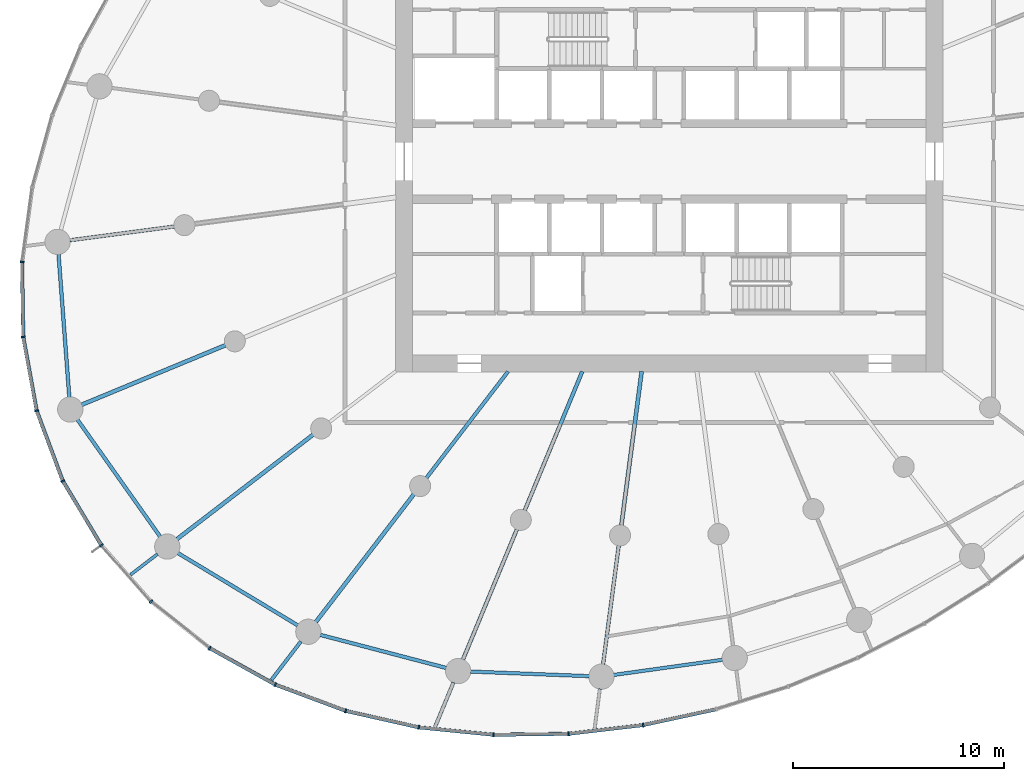
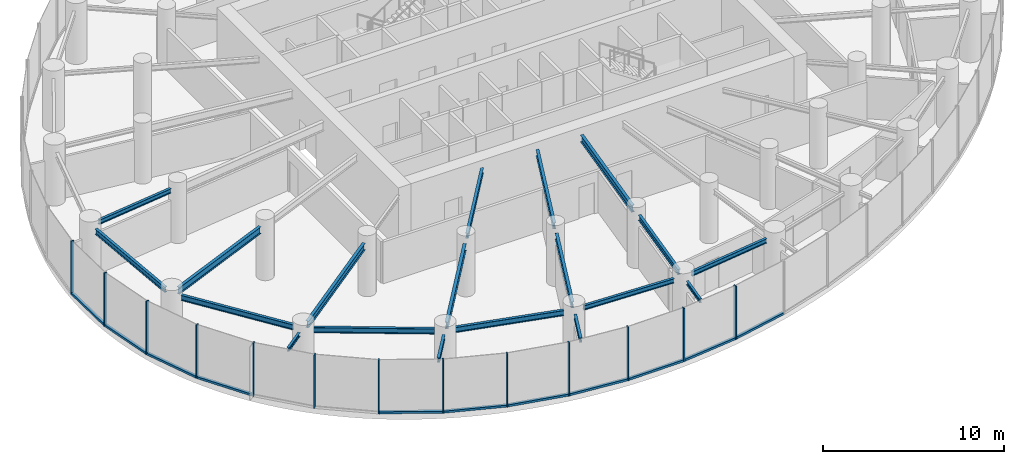
# One storey, part 2 of 17: 24 members, 19 beams, 3 elements without a shape of their own.
"""IFC4 building model written with IfcOpenShell, lengths in metres."""

from ifc_helpers import new_model, si_unit, direction, frame, origin, origin_2d, place, context, subcontext, project, spatial, rectangle, i_section, extrude, source, transform, mapped, material, layer, layer_set, material_profile, profile_set, type_object, element, aggregate, save


model = new_model("IFC4")

# Units and contexts
model_context = context("Model", 3, precision=1e-05, world=origin(), true_north=direction((0.0, 1.0)))
body_context = subcontext(model_context, "Body", "Model", "MODEL_VIEW")
ifc_project = project(units=[si_unit("LENGTHUNIT", "METRE"), si_unit("AREAUNIT", "SQUARE_METRE"), si_unit("VOLUMEUNIT", "CUBIC_METRE"), si_unit("PLANEANGLEUNIT", "RADIAN"), si_unit("MASSUNIT", "GRAM", prefix="KILO")], contexts=[model_context])

# Site, building, storey
site_placement = place(None, origin())
site = spatial("IfcSite", under=ifc_project, at=site_placement, CompositionType="ELEMENT")
building_placement = place(site_placement, origin())
building = spatial("IfcBuilding", under=site, at=building_placement, Name="Spindrift Exchange Tower", CompositionType="ELEMENT")
storey_placement = place(building_placement, frame((0.0, 0.0, 124.89990234375)))
storey = spatial("IfcBuildingStorey", under=building, at=storey_placement, Name="L29", CompositionType="ELEMENT", Elevation=124.89990234375)

# Beams
ifc_material_1 = material(Name="Steel Grade 300", Category="steel")
ifc_material_profile_1 = material_profile(ifc_material_1, i_section(OverallWidth=0.172119140625, OverallDepth=0.35888671875, WebThickness=0.008056640625, FlangeThickness=0.012939453125, FilletRadius=0.013916015625, at=origin_2d()), Name="360UB56.7")
ifc_profile_set_1 = profile_set([ifc_material_profile_1], Name="Steel Grade 300")
beam_type_1 = type_object("IfcBeamType", Name="Floor Beam 360UB56.7 Steel Grade 300", PredefinedType="BEAM", material=ifc_profile_set_1)
shared_shape_1 = source(origin(), body_context, "Body", "SweptSolid", [
    extrude(i_section(OverallWidth=0.172119140625, OverallDepth=0.35888671875, WebThickness=0.008056640625, FlangeThickness=0.012939453125, FilletRadius=0.013916015625, at=origin_2d()), origin(), (0.0, 0.0, 1.0), 6.37646484375),
])
beam_1_placement = place(storey_placement, frame((44.3388671875, 38.015869140625, 3.420654296875), z_axis=(-0.608766669952, -0.793349318747, 0.0), x_axis=(0.793349318747, -0.608766669952, 0.0)))
element("IfcBeam", 1, at=beam_1_placement, inside=storey, type_object=beam_type_1, Name="L29 radial beam R16A", PredefinedType="BEAM", context=body_context, shape_type="MappedRepresentation", body=[
    mapped(shared_shape_1, transform((0.0, 0.0, 0.0), scale=1.0)),
])
ifc_material_profile_2 = material_profile(ifc_material_1, i_section(OverallWidth=0.177978515625, OverallDepth=0.406005859375, WebThickness=0.0078125, FlangeThickness=0.0126953125, FilletRadius=0.013916015625, at=origin_2d()), Name="410UB59.7")
ifc_profile_set_2 = profile_set([ifc_material_profile_2], Name="Steel Grade 300")
beam_type_2 = type_object("IfcBeamType", Name="Floor Beam 410UB59.7 Steel Grade 300", PredefinedType="BEAM", material=ifc_profile_set_2)
shared_shape_2 = source(origin(), body_context, "Body", "SweptSolid", [
    extrude(i_section(OverallWidth=0.177978515625, OverallDepth=0.406005859375, WebThickness=0.0078125, FlangeThickness=0.0126953125, FilletRadius=0.013916015625, at=origin_2d()), origin(), (0.0, 0.0, 1.0), 7.150634765625),
])
beam_2_placement = place(storey_placement, frame((47.865478515625, 38.0185546875, 3.397216796875), z_axis=(-0.382665393358, -0.923887004306, 0.0), x_axis=(0.923887004306, -0.382665393358, 0.0)))
element("IfcBeam", 2, at=beam_2_placement, inside=storey, type_object=beam_type_2, Name="L29 radial beam R17A", PredefinedType="BEAM", context=body_context, shape_type="MappedRepresentation", body=[
    mapped(shared_shape_2, transform((0.0, 0.0, 0.0), scale=1.0)),
])
ifc_material_profile_3 = material_profile(ifc_material_1, i_section(OverallWidth=0.18994140625, OverallDepth=0.45703125, WebThickness=0.009033203125, FlangeThickness=0.014404296875, FilletRadius=0.013916015625, at=origin_2d()), Name="460UB74.6")
ifc_profile_set_3 = profile_set([ifc_material_profile_3], Name="Steel Grade 300")
beam_type_3 = type_object("IfcBeamType", Name="Floor Beam 460UB74.6 Steel Grade 300", PredefinedType="BEAM", material=ifc_profile_set_3)
shared_shape_3 = source(origin(), body_context, "Body", "SweptSolid", [
    extrude(i_section(OverallWidth=0.18994140625, OverallDepth=0.45703125, WebThickness=0.009033203125, FlangeThickness=0.014404296875, FilletRadius=0.013916015625, at=origin_2d()), origin(), (0.0, 0.0, 1.0), 7.374267578125),
])
beam_3_placement = place(storey_placement, frame((50.68603515625, 38.019775390625, 3.37158203125), z_axis=(-0.130539295622, -0.99144313619, 0.0), x_axis=(0.99144313619, -0.130539295622, 0.0)))
element("IfcBeam", 3, at=beam_3_placement, inside=storey, type_object=beam_type_3, Name="L29 radial beam R18A", PredefinedType="BEAM", context=body_context, shape_type="MappedRepresentation", body=[
    mapped(shared_shape_3, transform((0.0, 0.0, 0.0), scale=1.0)),
])
ifc_material_profile_4 = material_profile(ifc_material_1, i_section(OverallWidth=0.1650390625, OverallDepth=0.303955078125, WebThickness=0.006103515625, FlangeThickness=0.01025390625, FilletRadius=0.011474609375, at=origin_2d()), Name="310UB40.4")
ifc_profile_set_4 = profile_set([ifc_material_profile_4], Name="Steel Grade 300")
beam_type_4 = type_object("IfcBeamType", Name="Floor Beam 310UB40.4 Steel Grade 300", PredefinedType="BEAM", material=ifc_profile_set_4)
shared_shape_4 = source(origin(), body_context, "Body", "SweptSolid", [
    extrude(i_section(OverallWidth=0.1650390625, OverallDepth=0.303955078125, WebThickness=0.006103515625, FlangeThickness=0.01025390625, FilletRadius=0.011474609375, at=origin_2d()), origin(), (0.0, 0.0, 1.0), 5.014404296875),
])
beam_4_placement = place(storey_placement, frame((28.490234375, 44.90478515625, 3.447998046875), z_axis=(-0.99145015202, -0.13048599948, 0.0), x_axis=(0.13048599948, -0.99145015202, 0.0)))
element("IfcBeam", 4, at=beam_4_placement, inside=storey, type_object=beam_type_4, Name="L29 radial beam R13B", PredefinedType="BEAM", context=body_context, shape_type="MappedRepresentation", body=[
    mapped(shared_shape_4, transform((0.0, 0.0, 0.0), scale=1.0)),
])
shared_shape_5 = source(origin(), body_context, "Body", "SweptSolid", [
    extrude(i_section(OverallWidth=0.18994140625, OverallDepth=0.45703125, WebThickness=0.009033203125, FlangeThickness=0.014404296875, FilletRadius=0.013916015625, at=origin_2d()), origin(), (0.0, 0.0, 1.0), 7.400146484375),
])
beam_5_placement = place(storey_placement, frame((30.917236328125, 39.26708984375, 3.37158203125), z_axis=(-0.923886957755, -0.382665505749, 0.0), x_axis=(0.382665505749, -0.923886957755, 0.0)))
element("IfcBeam", 5, at=beam_5_placement, inside=storey, type_object=beam_type_3, Name="L29 radial beam R14B", PredefinedType="BEAM", context=body_context, shape_type="MappedRepresentation", body=[
    mapped(shared_shape_5, transform((0.0, 0.0, 0.0), scale=1.0)),
])
shared_shape_6 = source(origin(), body_context, "Body", "SweptSolid", [
    extrude(i_section(OverallWidth=0.18994140625, OverallDepth=0.45703125, WebThickness=0.009033203125, FlangeThickness=0.014404296875, FilletRadius=0.013916015625, at=origin_2d()), origin(), (0.0, 0.0, 1.0), 8.158447265625),
])
beam_6_placement = place(storey_placement, frame((35.08447265625, 35.020263671875, 3.37158203125), z_axis=(-0.793358732539, -0.608754401631, 0.0), x_axis=(0.608754401631, -0.793358732539, 0.0)))
element("IfcBeam", 6, at=beam_6_placement, inside=storey, type_object=beam_type_3, Name="L29 radial beam R15B", PredefinedType="BEAM", context=body_context, shape_type="MappedRepresentation", body=[
    mapped(shared_shape_6, transform((0.0, 0.0, 0.0), scale=1.0)),
])
shared_shape_7 = source(origin(), body_context, "Body", "SweptSolid", [
    extrude(i_section(OverallWidth=0.18994140625, OverallDepth=0.45703125, WebThickness=0.009033203125, FlangeThickness=0.014404296875, FilletRadius=0.013916015625, at=origin_2d()), origin(), (0.0, 0.0, 1.0), 7.663818359375),
])
beam_7_placement = place(storey_placement, frame((39.872802734375, 32.1953125, 3.37158203125), z_axis=(-0.608771227503, -0.793345821546, 0.0), x_axis=(0.793345821546, -0.608771227503, 0.0)))
element("IfcBeam", 7, at=beam_7_placement, inside=storey, type_object=beam_type_3, Name="L29 radial beam R16B", PredefinedType="BEAM", context=body_context, shape_type="MappedRepresentation", body=[
    mapped(shared_shape_7, transform((0.0, 0.0, 0.0), scale=1.0)),
])
shared_shape_8 = source(origin(), body_context, "Body", "SweptSolid", [
    extrude(i_section(OverallWidth=0.177978515625, OverallDepth=0.406005859375, WebThickness=0.0078125, FlangeThickness=0.0126953125, FilletRadius=0.013916015625, at=origin_2d()), origin(), (0.0, 0.0, 1.0), 6.71240234375),
])
beam_8_placement = place(storey_placement, frame((44.76171875, 30.525146484375, 3.397216796875), z_axis=(-0.382669812754, -0.923885173821, 0.0), x_axis=(0.923885173821, -0.382669812754, 0.0)))
element("IfcBeam", 8, at=beam_8_placement, inside=storey, type_object=beam_type_2, Name="L29 radial beam R17B", PredefinedType="BEAM", context=body_context, shape_type="MappedRepresentation", body=[
    mapped(shared_shape_8, transform((0.0, 0.0, 0.0), scale=1.0)),
])
shared_shape_9 = source(origin(), body_context, "Body", "SweptSolid", [
    extrude(i_section(OverallWidth=0.172119140625, OverallDepth=0.35888671875, WebThickness=0.008056640625, FlangeThickness=0.012939453125, FilletRadius=0.013916015625, at=origin_2d()), origin(), (0.0, 0.0, 1.0), 5.70751953125),
])
beam_9_placement = place(storey_placement, frame((49.59814453125, 29.7568359375, 3.420654296875), z_axis=(-0.130507624881, -0.991447305634, 0.0), x_axis=(0.991447305634, -0.130507624881, 0.0)))
element("IfcBeam", 9, at=beam_9_placement, inside=storey, type_object=beam_type_1, Name="L29 radial beam R18B", PredefinedType="BEAM", context=body_context, shape_type="MappedRepresentation", body=[
    mapped(shared_shape_9, transform((0.0, 0.0, 0.0), scale=1.0)),
])
ifc_material_profile_5 = material_profile(ifc_material_1, i_section(OverallWidth=0.172119140625, OverallDepth=0.35888671875, WebThickness=0.008056640625, FlangeThickness=0.012939453125, FilletRadius=0.013916015625, at=origin_2d()), Name="360UB56.7")
ifc_profile_set_5 = profile_set([ifc_material_profile_5], Name="Steel Grade 300")
beam_type_5 = type_object("IfcBeamType", Name="Edge Beam 360UB56.7 Steel Grade 300", PredefinedType="SPANDREL", material=ifc_profile_set_5)
shared_shape_10 = source(origin(), body_context, "Body", "SweptSolid", [
    extrude(i_section(OverallWidth=0.172119140625, OverallDepth=0.35888671875, WebThickness=0.008056640625, FlangeThickness=0.012939453125, FilletRadius=0.013916015625, at=origin_2d()), origin(), (0.0, 0.0, 1.0), 6.82373046875),
])
beam_10_placement = place(storey_placement, frame((22.9873046875, 43.59619140625, 3.420654296875), z_axis=(0.075276463877, -0.997162701863, 0.0), x_axis=(0.997162701863, 0.075276463877, 0.0)))
element("IfcBeam", 10, at=beam_10_placement, inside=storey, type_object=beam_type_5, Name="L29 edge beam E13", PredefinedType="SPANDREL", context=body_context, shape_type="MappedRepresentation", body=[
    mapped(shared_shape_10, transform((0.0, 0.0, 0.0), scale=1.0)),
])
shared_shape_11 = source(origin(), body_context, "Body", "SweptSolid", [
    extrude(i_section(OverallWidth=0.172119140625, OverallDepth=0.35888671875, WebThickness=0.008056640625, FlangeThickness=0.012939453125, FilletRadius=0.013916015625, at=origin_2d()), origin(), (0.0, 0.0, 1.0), 6.81787109375),
])
beam_11_placement = place(storey_placement, frame((23.87939453125, 35.739990234375, 3.420654296875), z_axis=(0.577526426198, -0.816371990604, 0.0), x_axis=(0.816371990604, 0.577526426198, 0.0)))
element("IfcBeam", 11, at=beam_11_placement, inside=storey, type_object=beam_type_5, Name="L29 edge beam E14", PredefinedType="SPANDREL", context=body_context, shape_type="MappedRepresentation", body=[
    mapped(shared_shape_11, transform((0.0, 0.0, 0.0), scale=1.0)),
])
shared_shape_12 = source(origin(), body_context, "Body", "SweptSolid", [
    extrude(i_section(OverallWidth=0.172119140625, OverallDepth=0.35888671875, WebThickness=0.008056640625, FlangeThickness=0.012939453125, FilletRadius=0.013916015625, at=origin_2d()), origin(), (0.0, 0.0, 1.0), 6.668701171875),
])
beam_12_placement = place(storey_placement, frame((28.6484375, 29.40087890625, 3.420654296875), z_axis=(0.856133207479, -0.516755194508, 0.0), x_axis=(0.516755194508, 0.856133207479, 0.0)))
element("IfcBeam", 12, at=beam_12_placement, inside=storey, type_object=beam_type_5, Name="L29 edge beam E15", PredefinedType="SPANDREL", context=body_context, shape_type="MappedRepresentation", body=[
    mapped(shared_shape_12, transform((0.0, 0.0, 0.0), scale=1.0)),
])
shared_shape_13 = source(origin(), body_context, "Body", "SweptSolid", [
    extrude(i_section(OverallWidth=0.172119140625, OverallDepth=0.35888671875, WebThickness=0.008056640625, FlangeThickness=0.012939453125, FilletRadius=0.013916015625, at=origin_2d()), origin(), (0.0, 0.0, 1.0), 6.197509765625),
])
beam_13_placement = place(storey_placement, frame((35.415283203125, 25.508056640625, 3.420654296875), z_axis=(0.967254420813, -0.253808757567, 0.0), x_axis=(0.253808757567, 0.967254420813, 0.0)))
element("IfcBeam", 13, at=beam_13_placement, inside=storey, type_object=beam_type_5, Name="L29 edge beam E16", PredefinedType="SPANDREL", context=body_context, shape_type="MappedRepresentation", body=[
    mapped(shared_shape_13, transform((0.0, 0.0, 0.0), scale=1.0)),
])
ifc_material_profile_6 = material_profile(ifc_material_1, i_section(OverallWidth=0.1650390625, OverallDepth=0.303955078125, WebThickness=0.006103515625, FlangeThickness=0.01025390625, FilletRadius=0.011474609375, at=origin_2d()), Name="310UB40.4")
ifc_profile_set_6 = profile_set([ifc_material_profile_6], Name="Steel Grade 300")
beam_type_6 = type_object("IfcBeamType", Name="Edge Beam 310UB40.4 Steel Grade 300", PredefinedType="SPANDREL", material=ifc_profile_set_6)
shared_shape_14 = source(origin(), body_context, "Body", "SweptSolid", [
    extrude(i_section(OverallWidth=0.1650390625, OverallDepth=0.303955078125, WebThickness=0.006103515625, FlangeThickness=0.01025390625, FilletRadius=0.011474609375, at=origin_2d()), origin(), (0.0, 0.0, 1.0), 5.65185546875),
])
beam_14_placement = place(storey_placement, frame((42.550537109375, 23.765380859375, 3.447998046875), z_axis=(0.99924397539, -0.038877726865, 0.0), x_axis=(0.038877726865, 0.99924397539, 0.0)))
element("IfcBeam", 14, at=beam_14_placement, inside=storey, type_object=beam_type_6, Name="L29 edge beam E17", PredefinedType="SPANDREL", context=body_context, shape_type="MappedRepresentation", body=[
    mapped(shared_shape_14, transform((0.0, 0.0, 0.0), scale=1.0)),
])
shared_shape_15 = source(origin(), body_context, "Body", "SweptSolid", [
    extrude(i_section(OverallWidth=0.1650390625, OverallDepth=0.303955078125, WebThickness=0.006103515625, FlangeThickness=0.01025390625, FilletRadius=0.011474609375, at=origin_2d()), origin(), (0.0, 0.0, 1.0), 5.22998046875),
])
beam_15_placement = place(storey_placement, frame((49.35205078125, 23.603271484375, 3.447998046875), z_axis=(0.990440078597, 0.137943650481, 0.0), x_axis=(-0.137943650481, 0.990440078597, 0.0)))
element("IfcBeam", 15, at=beam_15_placement, inside=storey, type_object=beam_type_6, Name="L29 edge beam E18", PredefinedType="SPANDREL", context=body_context, shape_type="MappedRepresentation", body=[
    mapped(shared_shape_15, transform((0.0, 0.0, 0.0), scale=1.0)),
])
ifc_material_profile_7 = material_profile(ifc_material_1, i_section(OverallWidth=0.14599609375, OverallDepth=0.251953125, WebThickness=0.006103515625, FlangeThickness=0.008544921875, FilletRadius=0.011962890625, at=origin_2d()), Name="250UB31.4")
ifc_profile_set_7 = profile_set([ifc_material_profile_7], Name="Steel Grade 300")
beam_type_7 = type_object("IfcBeamType", Name="Cantilever Beam 250UB31.4 Steel Grade 300", PredefinedType="BEAM", material=ifc_profile_set_7)
shared_shape_16 = source(origin(), body_context, "Body", "SweptSolid", [
    extrude(i_section(OverallWidth=0.14599609375, OverallDepth=0.251953125, WebThickness=0.006103515625, FlangeThickness=0.008544921875, FilletRadius=0.011962890625, at=origin_2d()), origin(), (0.0, 0.0, 1.0), 1.6142578125),
])
beam_16_placement = place(storey_placement, frame((27.691650390625, 29.347412109375, 3.47412109375), z_axis=(-0.793455404802, -0.608628392856, 0.0), x_axis=(0.608628392856, -0.793455404802, 0.0)))
element("IfcBeam", 16, at=beam_16_placement, inside=storey, type_object=beam_type_7, Name="L29 cantilever beam R15T", PredefinedType="BEAM", context=body_context, shape_type="MappedRepresentation", body=[
    mapped(shared_shape_16, transform((0.0, 0.0, 0.0), scale=1.0)),
])
ifc_material_profile_8 = material_profile(ifc_material_1, i_section(OverallWidth=0.1650390625, OverallDepth=0.303955078125, WebThickness=0.006103515625, FlangeThickness=0.01025390625, FilletRadius=0.011474609375, at=origin_2d()), Name="310UB40.4")
ifc_profile_set_8 = profile_set([ifc_material_profile_8], Name="Steel Grade 300")
beam_type_8 = type_object("IfcBeamType", Name="Cantilever Beam 310UB40.4 Steel Grade 300", PredefinedType="BEAM", material=ifc_profile_set_8)
shared_shape_17 = source(origin(), body_context, "Body", "SweptSolid", [
    extrude(i_section(OverallWidth=0.1650390625, OverallDepth=0.303955078125, WebThickness=0.006103515625, FlangeThickness=0.01025390625, FilletRadius=0.011474609375, at=origin_2d()), origin(), (0.0, 0.0, 1.0), 2.2978515625),
])
beam_17_placement = place(storey_placement, frame((34.501220703125, 25.195068359375, 3.447998046875), z_axis=(-0.608786129894, -0.793334386024, 0.0), x_axis=(0.793334386024, -0.608786129894, 0.0)))
element("IfcBeam", 17, at=beam_17_placement, inside=storey, type_object=beam_type_8, Name="L29 cantilever beam R16T", PredefinedType="BEAM", context=body_context, shape_type="MappedRepresentation", body=[
    mapped(shared_shape_17, transform((0.0, 0.0, 0.0), scale=1.0)),
])
shared_shape_18 = source(origin(), body_context, "Body", "SweptSolid", [
    extrude(i_section(OverallWidth=0.1650390625, OverallDepth=0.303955078125, WebThickness=0.006103515625, FlangeThickness=0.01025390625, FilletRadius=0.011474609375, at=origin_2d()), origin(), (0.0, 0.0, 1.0), 2.310791015625),
])
beam_18_placement = place(storey_placement, frame((41.7490234375, 23.251953125, 3.447998046875), z_axis=(-0.38265659553, -0.923890648236, 0.0), x_axis=(0.923890648236, -0.38265659553, 0.0)))
element("IfcBeam", 18, at=beam_18_placement, inside=storey, type_object=beam_type_8, Name="L29 cantilever beam R17T", PredefinedType="BEAM", context=body_context, shape_type="MappedRepresentation", body=[
    mapped(shared_shape_18, transform((0.0, 0.0, 0.0), scale=1.0)),
])
shared_shape_19 = source(origin(), body_context, "Body", "SweptSolid", [
    extrude(i_section(OverallWidth=0.14599609375, OverallDepth=0.251953125, WebThickness=0.006103515625, FlangeThickness=0.008544921875, FilletRadius=0.011962890625, at=origin_2d()), origin(), (0.0, 0.0, 1.0), 1.918701171875),
])
beam_19_placement = place(storey_placement, frame((48.701904296875, 22.9482421875, 3.47412109375), z_axis=(-0.130546671118, -0.991442165061, 0.0), x_axis=(0.991442165061, -0.130546671118, 0.0)))
element("IfcBeam", 19, at=beam_19_placement, inside=storey, type_object=beam_type_7, Name="L29 cantilever beam R18T", PredefinedType="BEAM", context=body_context, shape_type="MappedRepresentation", body=[
    mapped(shared_shape_19, transform((0.0, 0.0, 0.0), scale=1.0)),
])

# Curtain wall, member
ifc_material_2 = material(Name="Fritted laminated glass with bronze frame", Category="glass")
ifc_layer = layer(ifc_material_2, 0.18994140625)
ifc_layer_set = layer_set([ifc_layer], Name="ZONE 2 BRONZE FRITTED WALL")
curtain_wall_type = type_object("IfcCurtainWallType", Name="ZONE 2 BRONZE FRITTED WALL", PredefinedType="NOTDEFINED", material=ifc_layer_set)
curtain_wall_1_placement = place(storey_placement, origin())
curtain_wall_1 = element("IfcCurtainWall", 20, at=curtain_wall_1_placement, inside=storey, type_object=curtain_wall_type, Name="L29 Zone 2 Bronze Fritted Wall run 6", PredefinedType="NOTDEFINED")
ifc_material_3 = material(Name="Bronze anodised aluminium", Category="aluminium")
ifc_material_profile_9 = material_profile(ifc_material_3, rectangle(XDim=0.169921875, YDim=0.139892578125, at=origin_2d()), Name="ZONE 2 BRONZE FRITTED WALL TRANSOM 170X140")
ifc_profile_set_9 = profile_set([ifc_material_profile_9], Name="Bronze anodised aluminium")
member_type_1 = type_object("IfcMemberType", Name="ZONE 2 BRONZE FRITTED WALL TRANSOM 170X140", PredefinedType="USERDEFINED", material=ifc_profile_set_9)
shared_shape_20 = source(origin(), body_context, "Body", "SweptSolid", [
    extrude(rectangle(XDim=0.169921875, YDim=0.139892578125, at=origin_2d()), origin(), (0.0, 0.0, 1.0), 3.4912109375),
])
member_1_placement = place(storey_placement, frame((47.254638671875, 20.814697265625, 0.070068359375), z_axis=(0.993239104512, 0.116086524924, 0.0), x_axis=(-0.116086524924, 0.993239104512, 0.0)))
member_1 = element("IfcMember", 21, at=member_1_placement, type_object=member_type_1, Name="L29 transom CW-2.34", ObjectType="TRANSOM", PredefinedType="USERDEFINED", context=body_context, shape_type="MappedRepresentation", body=[
    mapped(shared_shape_20, transform((0.0, 0.0, 0.0), scale=1.0)),
])

curtain_wall_2_placement = place(storey_placement, origin())
curtain_wall_2 = element("IfcCurtainWall", 22, at=curtain_wall_2_placement, inside=storey, type_object=curtain_wall_type, Name="L29 Zone 2 Bronze Fritted Wall run 4", PredefinedType="NOTDEFINED")
shared_shape_21 = source(origin(), body_context, "Body", "SweptSolid", [
    extrude(rectangle(XDim=0.169921875, YDim=0.139892578125, at=origin_2d()), origin(), (0.0, 0.0, 1.0), 3.489013671875),
])
member_2_placement = place(storey_placement, frame((21.255126953125, 43.190185546875, 0.070068359375), z_axis=(0.015744426551, -0.999876048834, 0.0), x_axis=(0.999876048834, 0.015744426551, 0.0)))
member_2 = element("IfcMember", 23, at=member_2_placement, type_object=member_type_1, Name="L29 transom CW-2.23", ObjectType="TRANSOM", PredefinedType="USERDEFINED", context=body_context, shape_type="MappedRepresentation", body=[
    mapped(shared_shape_21, transform((0.0, 0.0, 0.0), scale=1.0)),
])

# Curtain wall, members
curtain_wall_3_placement = place(storey_placement, origin())
curtain_wall_3 = element("IfcCurtainWall", 24, at=curtain_wall_3_placement, inside=storey, type_object=curtain_wall_type, Name="L29 Zone 2 Bronze Fritted Wall run 5", PredefinedType="NOTDEFINED")
member_3_placement = place(storey_placement, frame((30.202392578125, 24.856689453125, 0.070068359375), z_axis=(0.874173778703, -0.485613225342, 0.0), x_axis=(0.485613225342, 0.874173778703, 0.0)))
member_3 = element("IfcMember", 25, at=member_3_placement, type_object=member_type_1, Name="L29 transom CW-2.29", ObjectType="TRANSOM", PredefinedType="USERDEFINED", context=body_context, shape_type="MappedRepresentation", body=[
    mapped(shared_shape_21, transform((0.0, 0.0, 0.0), scale=1.0)),
])
shared_shape_22 = source(origin(), body_context, "Body", "SweptSolid", [
    extrude(rectangle(XDim=0.169921875, YDim=0.139892578125, at=origin_2d()), origin(), (0.0, 0.0, 1.0), 3.487548828125),
])
member_4_placement = place(storey_placement, frame((23.21044921875, 32.786865234375, 0.070068359375), z_axis=(0.513877965324, -0.857863297242, 0.0), x_axis=(0.857863297242, 0.513877965324, 0.0)))
member_4 = element("IfcMember", 26, at=member_4_placement, type_object=member_type_1, Name="L29 transom CW-2.26", ObjectType="TRANSOM", PredefinedType="USERDEFINED", context=body_context, shape_type="MappedRepresentation", body=[
    mapped(shared_shape_22, transform((0.0, 0.0, 0.0), scale=1.0)),
])

# Member
shared_shape_23 = source(origin(), body_context, "Body", "SweptSolid", [
    extrude(rectangle(XDim=0.169921875, YDim=0.139892578125, at=origin_2d()), origin(), (0.0, 0.0, 1.0), 3.49072265625),
])
member_5_placement = place(storey_placement, frame((40.140625, 21.111083984375, 0.070068359375), z_axis=(0.995132295386, -0.098548032345, 0.0), x_axis=(0.098548032345, 0.995132295386, 0.0)))
member_5 = element("IfcMember", 27, at=member_5_placement, type_object=member_type_1, Name="L29 transom CW-2.32", ObjectType="TRANSOM", PredefinedType="USERDEFINED", context=body_context, shape_type="MappedRepresentation", body=[
    mapped(shared_shape_23, transform((0.0, 0.0, 0.0), scale=1.0)),
])

member_6_placement = place(storey_placement, frame((43.689208984375, 20.763916015625, 0.070068359375), z_axis=(0.999913555065, 0.013148475089, 0.0), x_axis=(-0.013148475089, 0.999913555065, 0.0)))
member_6 = element("IfcMember", 28, at=member_6_placement, type_object=member_type_1, Name="L29 transom CW-2.33", ObjectType="TRANSOM", PredefinedType="USERDEFINED", context=body_context, shape_type="MappedRepresentation", body=[
    mapped(shared_shape_23, transform((0.0, 0.0, 0.0), scale=1.0)),
])

shared_shape_24 = source(origin(), body_context, "Body", "SweptSolid", [
    extrude(rectangle(XDim=0.169921875, YDim=0.139892578125, at=origin_2d()), origin(), (0.0, 0.0, 1.0), 3.491455078125),
])
member_7_placement = place(storey_placement, frame((50.796142578125, 21.232421875, 0.070068359375), z_axis=(0.977493342756, 0.210966264761, 0.0), x_axis=(-0.210966264761, 0.977493342756, 0.0)))
member_7 = element("IfcMember", 29, at=member_7_placement, type_object=member_type_1, Name="L29 transom CW-2.35", ObjectType="TRANSOM", PredefinedType="USERDEFINED", context=body_context, shape_type="MappedRepresentation", body=[
    mapped(shared_shape_24, transform((0.0, 0.0, 0.0), scale=1.0)),
])

shared_shape_25 = source(origin(), body_context, "Body", "SweptSolid", [
    extrude(rectangle(XDim=0.169921875, YDim=0.139892578125, at=origin_2d()), origin(), (0.0, 0.0, 1.0), 3.490234375),
])
member_8_placement = place(storey_placement, frame((36.66162109375, 21.8896484375, 0.070068359375), z_axis=(0.975580910816, -0.219640357063, 0.0), x_axis=(0.219640357063, 0.975580910816, 0.0)))
member_8 = element("IfcMember", 30, at=member_8_placement, type_object=member_type_1, Name="L29 transom CW-2.31", ObjectType="TRANSOM", PredefinedType="USERDEFINED", context=body_context, shape_type="MappedRepresentation", body=[
    mapped(shared_shape_25, transform((0.0, 0.0, 0.0), scale=1.0)),
])

shared_shape_26 = source(origin(), body_context, "Body", "SweptSolid", [
    extrude(rectangle(XDim=0.169921875, YDim=0.139892578125, at=origin_2d()), origin(), (0.0, 0.0, 1.0), 3.488525390625),
])
member_9_placement = place(storey_placement, frame((21.3173828125, 39.627197265625, 0.070068359375), z_axis=(0.178953183838, -0.983857590302, 0.0), x_axis=(0.983857590302, 0.178953183838, 0.0)))
member_9 = element("IfcMember", 31, at=member_9_placement, type_object=member_type_1, Name="L29 transom CW-2.24", ObjectType="TRANSOM", PredefinedType="USERDEFINED", context=body_context, shape_type="MappedRepresentation", body=[
    mapped(shared_shape_26, transform((0.0, 0.0, 0.0), scale=1.0)),
])

shared_shape_27 = source(origin(), body_context, "Body", "SweptSolid", [
    extrude(rectangle(XDim=0.169921875, YDim=0.139892578125, at=origin_2d()), origin(), (0.0, 0.0, 1.0), 3.488037109375),
])
member_10_placement = place(storey_placement, frame((21.96142578125, 36.123046875, 0.070068359375), z_axis=(0.348859535227, -0.937175023505, 0.0), x_axis=(0.937175023505, 0.348859535227, 0.0)))
member_10 = element("IfcMember", 32, at=member_10_placement, type_object=member_type_1, Name="L29 transom CW-2.25", ObjectType="TRANSOM", PredefinedType="USERDEFINED", context=body_context, shape_type="MappedRepresentation", body=[
    mapped(shared_shape_27, transform((0.0, 0.0, 0.0), scale=1.0)),
])

shared_shape_28 = source(origin(), body_context, "Body", "SweptSolid", [
    extrude(rectangle(XDim=0.169921875, YDim=0.139892578125, at=origin_2d()), origin(), (0.0, 0.0, 1.0), 3.48974609375),
])
member_11_placement = place(storey_placement, frame((33.3203125, 23.131103515625, 0.070068359375), z_axis=(0.936902934867, -0.349589603161, 0.0), x_axis=(0.349589603161, 0.936902934867, 0.0)))
member_11 = element("IfcMember", 33, at=member_11_placement, type_object=member_type_1, Name="L29 transom CW-2.30", ObjectType="TRANSOM", PredefinedType="USERDEFINED", context=body_context, shape_type="MappedRepresentation", body=[
    mapped(shared_shape_28, transform((0.0, 0.0, 0.0), scale=1.0)),
])

ifc_material_profile_10 = material_profile(ifc_material_3, rectangle(XDim=0.074951171875, YDim=0.18994140625, at=origin_2d()), Name="ZONE 2 BRONZE FRITTED WALL MULLION 75X190")
ifc_profile_set_10 = profile_set([ifc_material_profile_10], Name="Bronze anodised aluminium")
member_type_2 = type_object("IfcMemberType", Name="ZONE 2 BRONZE FRITTED WALL MULLION 75X190", PredefinedType="MULLION", material=ifc_profile_set_10)
shared_shape_29 = source(origin(), body_context, "Body", "SweptSolid", [
    extrude(rectangle(XDim=0.074951171875, YDim=0.18994140625, at=origin_2d()), origin(), (0.0, 0.0, 1.0), 3.60009765625),
])
member_12_placement = place(storey_placement, frame((21.254638671875, 43.227783203125, 0.0), z_axis=(0.0, 0.0, 1.0), x_axis=(-0.059230761657, -0.998244317226, 0.0)))
member_12 = element("IfcMember", 34, at=member_12_placement, type_object=member_type_2, Name="L29 mullion CW-2.23", PredefinedType="MULLION", context=body_context, shape_type="MappedRepresentation", body=[
    mapped(shared_shape_29, transform((0.0, 0.0, 0.0), scale=1.0)),
])

member_13_placement = place(storey_placement, frame((21.310546875, 39.6640625, 0.0), z_axis=(0.0, 0.0, 1.0), x_axis=(0.097677533829, -0.995218116488, 0.0)))
member_13 = element("IfcMember", 35, at=member_13_placement, type_object=member_type_2, Name="L29 mullion CW-2.24", PredefinedType="MULLION", context=body_context, shape_type="MappedRepresentation", body=[
    mapped(shared_shape_29, transform((0.0, 0.0, 0.0), scale=1.0)),
])

aggregate(curtain_wall_2, [member_12, member_2, member_13, member_9])

member_14_placement = place(storey_placement, frame((21.948486328125, 36.158203125, 0.0), z_axis=(0.0, 0.0, 1.0), x_axis=(0.264930693748, -0.96426745642, 0.0)))
member_14 = element("IfcMember", 36, at=member_14_placement, type_object=member_type_2, Name="L29 mullion CW-2.25", PredefinedType="MULLION", context=body_context, shape_type="MappedRepresentation", body=[
    mapped(shared_shape_29, transform((0.0, 0.0, 0.0), scale=1.0)),
])

member_15_placement = place(storey_placement, frame((23.191162109375, 32.819091796875, 0.0), z_axis=(0.0, 0.0, 1.0), x_axis=(0.433169381083, -0.901312535857, 0.0)))
member_15 = element("IfcMember", 37, at=member_15_placement, type_object=member_type_2, Name="L29 mullion CW-2.26", PredefinedType="MULLION", context=body_context, shape_type="MappedRepresentation", body=[
    mapped(shared_shape_29, transform((0.0, 0.0, 0.0), scale=1.0)),
])

member_16_placement = place(storey_placement, frame((25.02197265625, 29.7626953125, 0.0), z_axis=(0.0, 0.0, 1.0), x_axis=(0.590283597834, -0.807195932923, 0.0)))
member_16 = element("IfcMember", 38, at=member_16_placement, type_object=member_type_2, Name="L29 mullion CW-2.27", PredefinedType="MULLION", context=body_context, shape_type="MappedRepresentation", body=[
    mapped(shared_shape_29, transform((0.0, 0.0, 0.0), scale=1.0)),
])

member_17_placement = place(storey_placement, frame((27.379638671875, 27.091552734375, 0.0), z_axis=(0.0, 0.0, 1.0), x_axis=(0.725171068567, -0.68856874843, 0.0)))
member_17 = element("IfcMember", 39, at=member_17_placement, type_object=member_type_2, Name="L29 mullion CW-2.28", PredefinedType="MULLION", context=body_context, shape_type="MappedRepresentation", body=[
    mapped(shared_shape_29, transform((0.0, 0.0, 0.0), scale=1.0)),
])

member_18_placement = place(storey_placement, frame((30.169677734375, 24.875, 0.0), z_axis=(0.0, 0.0, 1.0), x_axis=(0.831378434694, -0.55570666572, 0.0)))
member_18 = element("IfcMember", 40, at=member_18_placement, type_object=member_type_2, Name="L29 mullion CW-2.29", PredefinedType="MULLION", context=body_context, shape_type="MappedRepresentation", body=[
    mapped(shared_shape_29, transform((0.0, 0.0, 0.0), scale=1.0)),
])

member_19_placement = place(storey_placement, frame((33.285400390625, 23.144287109375, 0.0), z_axis=(0.0, 0.0, 1.0), x_axis=(0.90808369199, -0.418788739513, 0.0)))
member_19 = element("IfcMember", 41, at=member_19_placement, type_object=member_type_2, Name="L29 mullion CW-2.30", PredefinedType="MULLION", context=body_context, shape_type="MappedRepresentation", body=[
    mapped(shared_shape_29, transform((0.0, 0.0, 0.0), scale=1.0)),
])

aggregate(curtain_wall_3, [member_14, member_10, member_15, member_4, member_16, member_17, member_18, member_3, member_19, member_11])

member_20_placement = place(storey_placement, frame((36.625, 21.89794921875, 0.0), z_axis=(0.0, 0.0, 1.0), x_axis=(0.958436283353, -0.285306660897, 0.0)))
member_20 = element("IfcMember", 42, at=member_20_placement, type_object=member_type_2, Name="L29 mullion CW-2.31", PredefinedType="MULLION", context=body_context, shape_type="MappedRepresentation", body=[
    mapped(shared_shape_29, transform((0.0, 0.0, 0.0), scale=1.0)),
])

member_21_placement = place(storey_placement, frame((40.103271484375, 21.11474609375, 0.0), z_axis=(0.0, 0.0, 1.0), x_axis=(0.98721006596, -0.159424858998, 0.0)))
member_21 = element("IfcMember", 43, at=member_21_placement, type_object=member_type_2, Name="L29 mullion CW-2.32", PredefinedType="MULLION", context=body_context, shape_type="MappedRepresentation", body=[
    mapped(shared_shape_29, transform((0.0, 0.0, 0.0), scale=1.0)),
])

member_22_placement = place(storey_placement, frame((43.651611328125, 20.76318359375, 0.0), z_axis=(0.0, 0.0, 1.0), x_axis=(0.999086351737, -0.042737124063, 0.0)))
member_22 = element("IfcMember", 44, at=member_22_placement, type_object=member_type_2, Name="L29 mullion CW-2.33", PredefinedType="MULLION", context=body_context, shape_type="MappedRepresentation", body=[
    mapped(shared_shape_29, transform((0.0, 0.0, 0.0), scale=1.0)),
])

member_23_placement = place(storey_placement, frame((47.21728515625, 20.810302734375, 0.0), z_axis=(0.0, 0.0, 1.0), x_axis=(0.99790260416, 0.064733241935, 0.0)))
member_23 = element("IfcMember", 45, at=member_23_placement, type_object=member_type_2, Name="L29 mullion CW-2.34", PredefinedType="MULLION", context=body_context, shape_type="MappedRepresentation", body=[
    mapped(shared_shape_29, transform((0.0, 0.0, 0.0), scale=1.0)),
])

member_24_placement = place(storey_placement, frame((50.759521484375, 21.224365234375, 0.0), z_axis=(0.0, 0.0, 1.0), x_axis=(0.986507182228, 0.163717987444, 0.0)))
member_24 = element("IfcMember", 46, at=member_24_placement, type_object=member_type_2, Name="L29 mullion CW-2.35", PredefinedType="MULLION", context=body_context, shape_type="MappedRepresentation", body=[
    mapped(shared_shape_29, transform((0.0, 0.0, 0.0), scale=1.0)),
])

aggregate(curtain_wall_1, [member_20, member_8, member_21, member_5, member_22, member_6, member_23, member_1, member_24, member_7])

save(model, "model.ifc")
